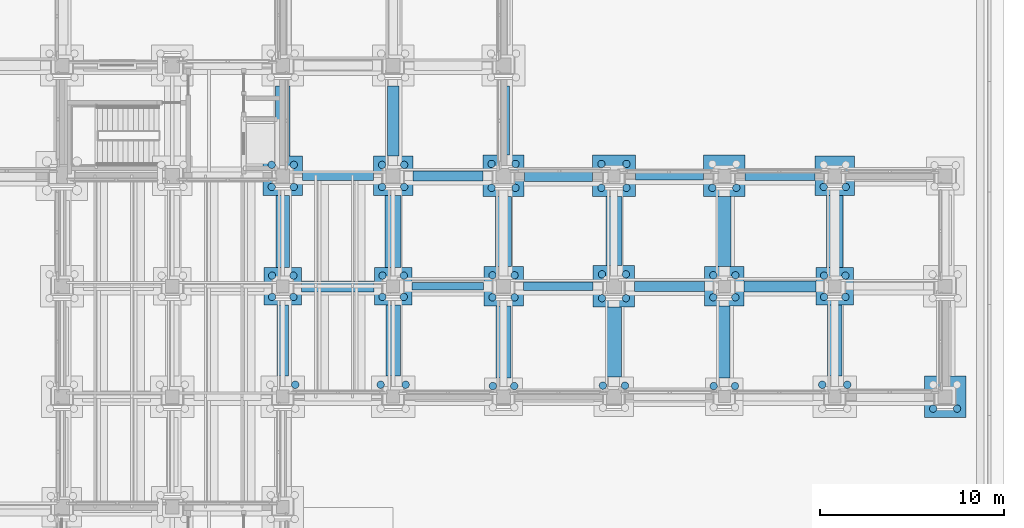
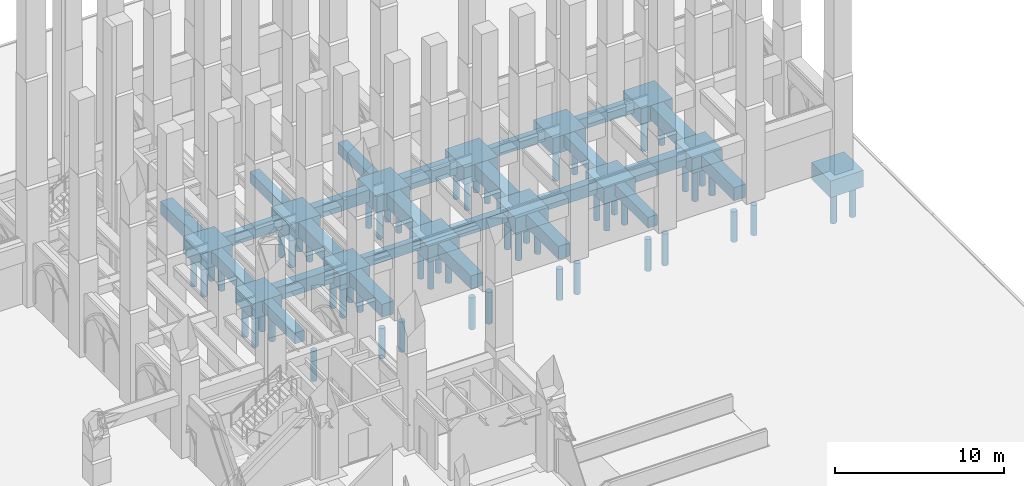
# One storey, part 13 of 135: 57 piles, 38 footings.
"""IFC4 building model written with IfcOpenShell, lengths in metres."""

from ifc_helpers import new_model, si_unit, direction, frame, origin, origin_2d, place, context, subcontext, project, spatial, polyline, rectangle, circle, outline, extrude, material, material_profile, profile_set, type_object, element, save


model = new_model("IFC4")

# Units and contexts
model_context = context("Model", 3, precision=1e-05, world=origin(), true_north=direction((0.0, 1.0)))
body_context = subcontext(model_context, "Body", "Model", "MODEL_VIEW")
ifc_project = project(units=[si_unit("LENGTHUNIT", "METRE"), si_unit("AREAUNIT", "SQUARE_METRE"), si_unit("VOLUMEUNIT", "CUBIC_METRE"), si_unit("PLANEANGLEUNIT", "RADIAN"), si_unit("MASSUNIT", "GRAM", prefix="KILO")], contexts=[model_context])

# Site, building, storey
site_placement = place(None, origin())
site = spatial("IfcSite", under=ifc_project, at=site_placement, CompositionType="ELEMENT")
building_placement = place(site_placement, origin())
building = spatial("IfcBuilding", under=site, at=building_placement, Name="Cumevento Cable Car Station", CompositionType="ELEMENT")
storey_placement = place(building_placement, origin())
storey = spatial("IfcBuildingStorey", under=building, at=storey_placement, Name="L01", CompositionType="ELEMENT", Elevation=0.0)

# Footings
ifc_material_1 = material(Name="Concrete C40/50", Category="concrete")
footing_type_1 = type_object("IfcFootingType", Name="Ground Beam GB-01 420x720", PredefinedType="FOOTING_BEAM", material=ifc_material_1)
footing_1_placement = place(storey_placement, frame((0.0, 0.0, -0.719970703125)))
element("IfcFooting", 1, at=footing_1_placement, inside=storey, type_object=footing_type_1, Name="Ground Tie Beam GB-01 #80", PredefinedType="FOOTING_BEAM", context=body_context, shape_type="SweptSolid", body=[
    extrude(outline(polyline([(137.027099609375, 38.7900390625), (140.923095703125, 38.7900390625), (140.923095703125, 39.2099609375), (137.027099609375, 39.2099609375), (137.027099609375, 38.7900390625)])), origin(), (0.0, 0.0, 1.0), 0.719970703125),
])
footing_2_placement = place(storey_placement, frame((0.0, 0.0, -0.719970703125)))
element("IfcFooting", 2, at=footing_2_placement, inside=storey, type_object=footing_type_1, Name="Ground Tie Beam GB-01 #108", PredefinedType="FOOTING_BEAM", context=body_context, shape_type="SweptSolid", body=[
    extrude(outline(polyline([(149.177001953125, 44.7900390625), (152.873046875, 44.7900390625), (152.873046875, 45.2099609375), (149.177001953125, 45.2099609375), (149.177001953125, 44.7900390625)])), origin(), (0.0, 0.0, 1.0), 0.719970703125),
])
ifc_material_2 = material(Name="Concrete C40/50", Category="concrete")
footing_type_2 = type_object("IfcFootingType", Name="Ground Beam GB-02 480x800", PredefinedType="FOOTING_BEAM", material=ifc_material_2)
footing_3_placement = place(storey_placement, frame((0.0, 0.0, -0.800048828125)))
element("IfcFooting", 3, at=footing_3_placement, inside=storey, type_object=footing_type_2, Name="Ground Tie Beam GB-02 #81", PredefinedType="FOOTING_BEAM", context=body_context, shape_type="SweptSolid", body=[
    extrude(outline(polyline([(143.076904296875, 38.760009765625), (146.873046875, 38.760009765625), (146.873046875, 39.239990234375), (143.076904296875, 39.239990234375), (143.076904296875, 38.760009765625)])), origin(), (0.0, 0.0, 1.0), 0.800048828125),
])
footing_4_placement = place(storey_placement, frame((0.0, 0.0, -0.800048828125)))
element("IfcFooting", 4, at=footing_4_placement, inside=storey, type_object=footing_type_2, Name="Ground Tie Beam GB-02 #105", PredefinedType="FOOTING_BEAM", context=body_context, shape_type="SweptSolid", body=[
    extrude(outline(polyline([(131.076904296875, 44.760009765625), (134.923095703125, 44.760009765625), (134.923095703125, 45.239990234375), (131.076904296875, 45.239990234375), (131.076904296875, 44.760009765625)])), origin(), (0.0, 0.0, 1.0), 0.800048828125),
])
footing_5_placement = place(storey_placement, frame((0.0, 0.0, -0.800048828125)))
element("IfcFooting", 5, at=footing_5_placement, inside=storey, type_object=footing_type_2, Name="Ground Tie Beam GB-02 #109", PredefinedType="FOOTING_BEAM", context=body_context, shape_type="SweptSolid", body=[
    extrude(outline(polyline([(155.126953125, 44.760009765625), (158.923095703125, 44.760009765625), (158.923095703125, 45.239990234375), (155.126953125, 45.239990234375), (155.126953125, 44.760009765625)])), origin(), (0.0, 0.0, 1.0), 0.800048828125),
])
ifc_material_3 = material(Name="Concrete C40/50", Category="concrete")
footing_type_3 = type_object("IfcFootingType", Name="Ground Beam GB-03 540x880", PredefinedType="FOOTING_BEAM", material=ifc_material_3)
footing_6_placement = place(storey_placement, frame((0.0, 0.0, -0.8798828125)))
element("IfcFooting", 6, at=footing_6_placement, inside=storey, type_object=footing_type_3, Name="Ground Tie Beam GB-03 #82", PredefinedType="FOOTING_BEAM", context=body_context, shape_type="SweptSolid", body=[
    extrude(outline(polyline([(149.126953125, 38.72998046875), (152.923095703125, 38.72998046875), (152.923095703125, 39.27001953125), (149.126953125, 39.27001953125), (149.126953125, 38.72998046875)])), origin(), (0.0, 0.0, 1.0), 0.8798828125),
])
footing_7_placement = place(storey_placement, frame((0.0, 0.0, -0.8798828125)))
element("IfcFooting", 7, at=footing_7_placement, inside=storey, type_object=footing_type_3, Name="Ground Tie Beam GB-03 #106", PredefinedType="FOOTING_BEAM", context=body_context, shape_type="SweptSolid", body=[
    extrude(outline(polyline([(137.076904296875, 44.72998046875), (140.873046875, 44.72998046875), (140.873046875, 45.27001953125), (137.076904296875, 45.27001953125), (137.076904296875, 44.72998046875)])), origin(), (0.0, 0.0, 1.0), 0.8798828125),
])
ifc_material_4 = material(Name="Concrete C40/50", Category="concrete")
footing_type_4 = type_object("IfcFootingType", Name="Ground Beam GB-04 600x960", PredefinedType="FOOTING_BEAM", material=ifc_material_4)
footing_8_placement = place(storey_placement, frame((0.0, 0.0, -0.9599609375)))
element("IfcFooting", 8, at=footing_8_placement, inside=storey, type_object=footing_type_4, Name="Ground Tie Beam GB-04 #79", PredefinedType="FOOTING_BEAM", context=body_context, shape_type="SweptSolid", body=[
    extrude(outline(polyline([(131.027099609375, 38.699951171875), (134.972900390625, 38.699951171875), (134.972900390625, 39.300048828125), (131.027099609375, 39.300048828125), (131.027099609375, 38.699951171875)])), origin(), (0.0, 0.0, 1.0), 0.9599609375),
])
footing_9_placement = place(storey_placement, frame((0.0, 0.0, -0.9599609375)))
element("IfcFooting", 9, at=footing_9_placement, inside=storey, type_object=footing_type_4, Name="Ground Tie Beam GB-04 #83", PredefinedType="FOOTING_BEAM", context=body_context, shape_type="SweptSolid", body=[
    extrude(outline(polyline([(155.076904296875, 38.699951171875), (158.972900390625, 38.699951171875), (158.972900390625, 39.300048828125), (155.076904296875, 39.300048828125), (155.076904296875, 38.699951171875)])), origin(), (0.0, 0.0, 1.0), 0.9599609375),
])
footing_10_placement = place(storey_placement, frame((0.0, 0.0, -0.9599609375)))
element("IfcFooting", 10, at=footing_10_placement, inside=storey, type_object=footing_type_4, Name="Ground Tie Beam GB-04 #107", PredefinedType="FOOTING_BEAM", context=body_context, shape_type="SweptSolid", body=[
    extrude(outline(polyline([(143.126953125, 44.699951171875), (146.822998046875, 44.699951171875), (146.822998046875, 45.300048828125), (143.126953125, 45.300048828125), (143.126953125, 44.699951171875)])), origin(), (0.0, 0.0, 1.0), 0.9599609375),
])

# Piles
ifc_material_5 = material(Name="Concrete C40/50", Category="concrete")
ifc_material_profile = material_profile(ifc_material_5, circle(Radius=0.199951171875, at=origin_2d()), Name="PILE-D400")
ifc_profile_set = profile_set([ifc_material_profile], Name="Concrete C40/50")
pile_type = type_object("IfcPileType", Name="PILE-BORED-400", PredefinedType="BORED", material=ifc_profile_set)
pile_placement = place(storey_placement, frame((130.679931640625, 33.64990234375, -1.219970703125), z_axis=(0.0, 0.0, -1.0), x_axis=(1.0, 0.0, 0.0)))
element("IfcPile", 11, at=pile_placement, inside=storey, type_object=pile_type, Name="Bored Pile PL-400 #510", PredefinedType="BORED", context=body_context, shape_type="SweptSolid", body=[
    extrude(circle(Radius=0.199951171875, at=origin_2d()), origin(), (0.0, 0.0, 1.0), 2.179931640625),
])
for number, where, z_axis, x_axis, name in (
    (12, (129.419921875, 38.419921875, -1.10009765625), (0.0, 0.0, -1.0), (1.0, 0.0, 0.0), "Bored Pile PL-400 #511"),
    (13, (130.580078125, 38.419921875, -1.10009765625), (0.0, 0.0, -1.0), (1.0, 0.0, 0.0), "Bored Pile PL-400 #512"),
    (14, (129.419921875, 39.580078125, -1.10009765625), (0.0, 0.0, -1.0), (1.0, 0.0, 0.0), "Bored Pile PL-400 #513"),
    (15, (130.580078125, 39.580078125, -1.10009765625), (0.0, 0.0, -1.0), (1.0, 0.0, 0.0), "Bored Pile PL-400 #514"),
):
    element("IfcPile", number, at=place(storey_placement, frame(where, z_axis=z_axis, x_axis=x_axis)), inside=storey, type_object=pile_type, Name=name, PredefinedType="BORED", context=body_context, shape_type="SweptSolid", body=[
        extrude(circle(Radius=0.199951171875, at=origin_2d()), origin(), (0.0, 0.0, 1.0), 2.300048828125),
    ])
for number, where, z_axis, x_axis, name in (
    (16, (129.39990234375, 44.39990234375, -1.14990234375), (0.0, 0.0, -1.0), (1.0, 0.0, 0.0), "Bored Pile PL-400 #515"),
    (17, (130.60009765625, 44.39990234375, -1.14990234375), (0.0, 0.0, -1.0), (1.0, 0.0, 0.0), "Bored Pile PL-400 #516"),
    (18, (129.39990234375, 45.60009765625, -1.14990234375), (0.0, 0.0, -1.0), (1.0, 0.0, 0.0), "Bored Pile PL-400 #517"),
    (19, (130.60009765625, 45.60009765625, -1.14990234375), (0.0, 0.0, -1.0), (1.0, 0.0, 0.0), "Bored Pile PL-400 #518"),
):
    element("IfcPile", number, at=place(storey_placement, frame(where, z_axis=z_axis, x_axis=x_axis)), inside=storey, type_object=pile_type, Name=name, PredefinedType="BORED", context=body_context, shape_type="SweptSolid", body=[
        extrude(circle(Radius=0.199951171875, at=origin_2d()), origin(), (0.0, 0.0, 1.0), 2.25),
    ])
for number, where, z_axis, x_axis, name in (
    (20, (135.320068359375, 33.64990234375, -1.219970703125), (0.0, 0.0, -1.0), (1.0, 0.0, 0.0), "Bored Pile PL-400 #535"),
    (21, (136.679931640625, 33.64990234375, -1.219970703125), (0.0, 0.0, -1.0), (1.0, 0.0, 0.0), "Bored Pile PL-400 #536"),
):
    element("IfcPile", number, at=place(storey_placement, frame(where, z_axis=z_axis, x_axis=x_axis)), inside=storey, type_object=pile_type, Name=name, PredefinedType="BORED", context=body_context, shape_type="SweptSolid", body=[
        extrude(circle(Radius=0.199951171875, at=origin_2d()), origin(), (0.0, 0.0, 1.0), 2.179931640625),
    ])
for number, where, z_axis, x_axis, name in (
    (22, (135.419921875, 38.419921875, -1.10009765625), (0.0, 0.0, -1.0), (1.0, 0.0, 0.0), "Bored Pile PL-400 #537"),
    (23, (136.580078125, 38.419921875, -1.10009765625), (0.0, 0.0, -1.0), (1.0, 0.0, 0.0), "Bored Pile PL-400 #538"),
    (24, (135.419921875, 39.580078125, -1.10009765625), (0.0, 0.0, -1.0), (1.0, 0.0, 0.0), "Bored Pile PL-400 #539"),
    (25, (136.580078125, 39.580078125, -1.10009765625), (0.0, 0.0, -1.0), (1.0, 0.0, 0.0), "Bored Pile PL-400 #540"),
):
    element("IfcPile", number, at=place(storey_placement, frame(where, z_axis=z_axis, x_axis=x_axis)), inside=storey, type_object=pile_type, Name=name, PredefinedType="BORED", context=body_context, shape_type="SweptSolid", body=[
        extrude(circle(Radius=0.199951171875, at=origin_2d()), origin(), (0.0, 0.0, 1.0), 2.300048828125),
    ])
for number, where, z_axis, x_axis, name in (
    (26, (135.39990234375, 44.39990234375, -1.14990234375), (0.0, 0.0, -1.0), (1.0, 0.0, 0.0), "Bored Pile PL-400 #541"),
    (27, (136.60009765625, 44.39990234375, -1.14990234375), (0.0, 0.0, -1.0), (1.0, 0.0, 0.0), "Bored Pile PL-400 #542"),
    (28, (135.39990234375, 45.60009765625, -1.14990234375), (0.0, 0.0, -1.0), (1.0, 0.0, 0.0), "Bored Pile PL-400 #543"),
    (29, (136.60009765625, 45.60009765625, -1.14990234375), (0.0, 0.0, -1.0), (1.0, 0.0, 0.0), "Bored Pile PL-400 #544"),
):
    element("IfcPile", number, at=place(storey_placement, frame(where, z_axis=z_axis, x_axis=x_axis)), inside=storey, type_object=pile_type, Name=name, PredefinedType="BORED", context=body_context, shape_type="SweptSolid", body=[
        extrude(circle(Radius=0.199951171875, at=origin_2d()), origin(), (0.0, 0.0, 1.0), 2.25),
    ])
for number, where, z_axis, x_axis, name in (
    (30, (141.419921875, 33.580078125, -1.10009765625), (0.0, 0.0, -1.0), (1.0, 0.0, 0.0), "Bored Pile PL-400 #555"),
    (31, (142.580078125, 33.580078125, -1.10009765625), (0.0, 0.0, -1.0), (1.0, 0.0, 0.0), "Bored Pile PL-400 #556"),
):
    element("IfcPile", number, at=place(storey_placement, frame(where, z_axis=z_axis, x_axis=x_axis)), inside=storey, type_object=pile_type, Name=name, PredefinedType="BORED", context=body_context, shape_type="SweptSolid", body=[
        extrude(circle(Radius=0.199951171875, at=origin_2d()), origin(), (0.0, 0.0, 1.0), 2.300048828125),
    ])
for number, where, z_axis, x_axis, name in (
    (32, (141.39990234375, 38.39990234375, -1.14990234375), (0.0, 0.0, -1.0), (1.0, 0.0, 0.0), "Bored Pile PL-400 #557"),
    (33, (142.60009765625, 38.39990234375, -1.14990234375), (0.0, 0.0, -1.0), (1.0, 0.0, 0.0), "Bored Pile PL-400 #558"),
    (34, (141.39990234375, 39.60009765625, -1.14990234375), (0.0, 0.0, -1.0), (1.0, 0.0, 0.0), "Bored Pile PL-400 #559"),
    (35, (142.60009765625, 39.60009765625, -1.14990234375), (0.0, 0.0, -1.0), (1.0, 0.0, 0.0), "Bored Pile PL-400 #560"),
):
    element("IfcPile", number, at=place(storey_placement, frame(where, z_axis=z_axis, x_axis=x_axis)), inside=storey, type_object=pile_type, Name=name, PredefinedType="BORED", context=body_context, shape_type="SweptSolid", body=[
        extrude(circle(Radius=0.199951171875, at=origin_2d()), origin(), (0.0, 0.0, 1.0), 2.25),
    ])
for number, where, z_axis, x_axis, name in (
    (36, (141.35009765625, 44.35009765625, -1.199951171875), (0.0, 0.0, -1.0), (1.0, 0.0, 0.0), "Bored Pile PL-400 #561"),
    (37, (142.64990234375, 44.35009765625, -1.199951171875), (0.0, 0.0, -1.0), (1.0, 0.0, 0.0), "Bored Pile PL-400 #562"),
    (38, (141.35009765625, 45.64990234375, -1.199951171875), (0.0, 0.0, -1.0), (1.0, 0.0, 0.0), "Bored Pile PL-400 #563"),
    (39, (142.64990234375, 45.64990234375, -1.199951171875), (0.0, 0.0, -1.0), (1.0, 0.0, 0.0), "Bored Pile PL-400 #564"),
):
    element("IfcPile", number, at=place(storey_placement, frame(where, z_axis=z_axis, x_axis=x_axis)), inside=storey, type_object=pile_type, Name=name, PredefinedType="BORED", context=body_context, shape_type="SweptSolid", body=[
        extrude(circle(Radius=0.199951171875, at=origin_2d()), origin(), (0.0, 0.0, 1.0), 2.199951171875),
    ])
for number, where, z_axis, x_axis, name in (
    (40, (147.39990234375, 33.60009765625, -1.14990234375), (0.0, 0.0, -1.0), (1.0, 0.0, 0.0), "Bored Pile PL-400 #575"),
    (41, (148.60009765625, 33.60009765625, -1.14990234375), (0.0, 0.0, -1.0), (1.0, 0.0, 0.0), "Bored Pile PL-400 #576"),
):
    element("IfcPile", number, at=place(storey_placement, frame(where, z_axis=z_axis, x_axis=x_axis)), inside=storey, type_object=pile_type, Name=name, PredefinedType="BORED", context=body_context, shape_type="SweptSolid", body=[
        extrude(circle(Radius=0.199951171875, at=origin_2d()), origin(), (0.0, 0.0, 1.0), 2.25),
    ])
for number, where, z_axis, x_axis, name in (
    (42, (147.35009765625, 38.35009765625, -1.199951171875), (0.0, 0.0, -1.0), (1.0, 0.0, 0.0), "Bored Pile PL-400 #577"),
    (43, (148.64990234375, 38.35009765625, -1.199951171875), (0.0, 0.0, -1.0), (1.0, 0.0, 0.0), "Bored Pile PL-400 #578"),
    (44, (147.35009765625, 39.64990234375, -1.199951171875), (0.0, 0.0, -1.0), (1.0, 0.0, 0.0), "Bored Pile PL-400 #579"),
    (45, (148.64990234375, 39.64990234375, -1.199951171875), (0.0, 0.0, -1.0), (1.0, 0.0, 0.0), "Bored Pile PL-400 #580"),
):
    element("IfcPile", number, at=place(storey_placement, frame(where, z_axis=z_axis, x_axis=x_axis)), inside=storey, type_object=pile_type, Name=name, PredefinedType="BORED", context=body_context, shape_type="SweptSolid", body=[
        extrude(circle(Radius=0.199951171875, at=origin_2d()), origin(), (0.0, 0.0, 1.0), 2.199951171875),
    ])
for number, where, z_axis, x_axis, name in (
    (46, (147.320068359375, 44.35009765625, -1.219970703125), (0.0, 0.0, -1.0), (1.0, 0.0, 0.0), "Bored Pile PL-400 #581"),
    (47, (148.679931640625, 44.35009765625, -1.219970703125), (0.0, 0.0, -1.0), (1.0, 0.0, 0.0), "Bored Pile PL-400 #582"),
    (48, (147.320068359375, 45.64990234375, -1.219970703125), (0.0, 0.0, -1.0), (1.0, 0.0, 0.0), "Bored Pile PL-400 #583"),
    (49, (148.679931640625, 45.64990234375, -1.219970703125), (0.0, 0.0, -1.0), (1.0, 0.0, 0.0), "Bored Pile PL-400 #584"),
):
    element("IfcPile", number, at=place(storey_placement, frame(where, z_axis=z_axis, x_axis=x_axis)), inside=storey, type_object=pile_type, Name=name, PredefinedType="BORED", context=body_context, shape_type="SweptSolid", body=[
        extrude(circle(Radius=0.199951171875, at=origin_2d()), origin(), (0.0, 0.0, 1.0), 2.179931640625),
    ])
for number, where, z_axis, x_axis, name in (
    (50, (153.419921875, 33.580078125, -1.10009765625), (0.0, 0.0, -1.0), (1.0, 0.0, 0.0), "Bored Pile PL-400 #587"),
    (51, (154.580078125, 33.580078125, -1.10009765625), (0.0, 0.0, -1.0), (1.0, 0.0, 0.0), "Bored Pile PL-400 #588"),
):
    element("IfcPile", number, at=place(storey_placement, frame(where, z_axis=z_axis, x_axis=x_axis)), inside=storey, type_object=pile_type, Name=name, PredefinedType="BORED", context=body_context, shape_type="SweptSolid", body=[
        extrude(circle(Radius=0.199951171875, at=origin_2d()), origin(), (0.0, 0.0, 1.0), 2.300048828125),
    ])
for number, where, z_axis, x_axis, name in (
    (52, (153.39990234375, 38.39990234375, -1.14990234375), (0.0, 0.0, -1.0), (1.0, 0.0, 0.0), "Bored Pile PL-400 #589"),
    (53, (154.60009765625, 38.39990234375, -1.14990234375), (0.0, 0.0, -1.0), (1.0, 0.0, 0.0), "Bored Pile PL-400 #590"),
    (54, (153.39990234375, 39.60009765625, -1.14990234375), (0.0, 0.0, -1.0), (1.0, 0.0, 0.0), "Bored Pile PL-400 #591"),
    (55, (154.60009765625, 39.60009765625, -1.14990234375), (0.0, 0.0, -1.0), (1.0, 0.0, 0.0), "Bored Pile PL-400 #592"),
):
    element("IfcPile", number, at=place(storey_placement, frame(where, z_axis=z_axis, x_axis=x_axis)), inside=storey, type_object=pile_type, Name=name, PredefinedType="BORED", context=body_context, shape_type="SweptSolid", body=[
        extrude(circle(Radius=0.199951171875, at=origin_2d()), origin(), (0.0, 0.0, 1.0), 2.25),
    ])
for number, where, z_axis, x_axis, name in (
    (56, (153.35009765625, 44.35009765625, -1.199951171875), (0.0, 0.0, -1.0), (1.0, 0.0, 0.0), "Bored Pile PL-400 #593"),
    (57, (154.64990234375, 44.35009765625, -1.199951171875), (0.0, 0.0, -1.0), (1.0, 0.0, 0.0), "Bored Pile PL-400 #594"),
):
    element("IfcPile", number, at=place(storey_placement, frame(where, z_axis=z_axis, x_axis=x_axis)), inside=storey, type_object=pile_type, Name=name, PredefinedType="BORED", context=body_context, shape_type="SweptSolid", body=[
        extrude(circle(Radius=0.199951171875, at=origin_2d()), origin(), (0.0, 0.0, 1.0), 2.199951171875),
    ])
for number, where, z_axis, x_axis, name in (
    (58, (159.320068359375, 33.64990234375, -1.219970703125), (0.0, 0.0, -1.0), (1.0, 0.0, 0.0), "Bored Pile PL-400 #599"),
    (59, (160.679931640625, 33.64990234375, -1.219970703125), (0.0, 0.0, -1.0), (1.0, 0.0, 0.0), "Bored Pile PL-400 #600"),
):
    element("IfcPile", number, at=place(storey_placement, frame(where, z_axis=z_axis, x_axis=x_axis)), inside=storey, type_object=pile_type, Name=name, PredefinedType="BORED", context=body_context, shape_type="SweptSolid", body=[
        extrude(circle(Radius=0.199951171875, at=origin_2d()), origin(), (0.0, 0.0, 1.0), 2.179931640625),
    ])
for number, where, z_axis, x_axis, name in (
    (60, (159.419921875, 38.419921875, -1.10009765625), (0.0, 0.0, -1.0), (1.0, 0.0, 0.0), "Bored Pile PL-400 #601"),
    (61, (160.580078125, 38.419921875, -1.10009765625), (0.0, 0.0, -1.0), (1.0, 0.0, 0.0), "Bored Pile PL-400 #602"),
    (62, (159.419921875, 39.580078125, -1.10009765625), (0.0, 0.0, -1.0), (1.0, 0.0, 0.0), "Bored Pile PL-400 #603"),
    (63, (160.580078125, 39.580078125, -1.10009765625), (0.0, 0.0, -1.0), (1.0, 0.0, 0.0), "Bored Pile PL-400 #604"),
):
    element("IfcPile", number, at=place(storey_placement, frame(where, z_axis=z_axis, x_axis=x_axis)), inside=storey, type_object=pile_type, Name=name, PredefinedType="BORED", context=body_context, shape_type="SweptSolid", body=[
        extrude(circle(Radius=0.199951171875, at=origin_2d()), origin(), (0.0, 0.0, 1.0), 2.300048828125),
    ])
for number, where, z_axis, x_axis, name in (
    (64, (159.39990234375, 44.39990234375, -1.14990234375), (0.0, 0.0, -1.0), (1.0, 0.0, 0.0), "Bored Pile PL-400 #605"),
    (65, (160.60009765625, 44.39990234375, -1.14990234375), (0.0, 0.0, -1.0), (1.0, 0.0, 0.0), "Bored Pile PL-400 #606"),
):
    element("IfcPile", number, at=place(storey_placement, frame(where, z_axis=z_axis, x_axis=x_axis)), inside=storey, type_object=pile_type, Name=name, PredefinedType="BORED", context=body_context, shape_type="SweptSolid", body=[
        extrude(circle(Radius=0.199951171875, at=origin_2d()), origin(), (0.0, 0.0, 1.0), 2.25),
    ])
for number, where, z_axis, x_axis, name in (
    (66, (165.35009765625, 32.35009765625, -1.199951171875), (0.0, 0.0, -1.0), (1.0, 0.0, 0.0), "Bored Pile PL-400 #609"),
    (67, (166.64990234375, 32.35009765625, -1.199951171875), (0.0, 0.0, -1.0), (1.0, 0.0, 0.0), "Bored Pile PL-400 #610"),
):
    element("IfcPile", number, at=place(storey_placement, frame(where, z_axis=z_axis, x_axis=x_axis)), inside=storey, type_object=pile_type, Name=name, PredefinedType="BORED", context=body_context, shape_type="SweptSolid", body=[
        extrude(circle(Radius=0.199951171875, at=origin_2d()), origin(), (0.0, 0.0, 1.0), 2.199951171875),
    ])

# Footings
ifc_material_6 = material(Name="Concrete C40/50", Category="concrete")
footing_type_5 = type_object("IfcFootingType", Name="Pile Cap PC-05 2050x2050x1100", PredefinedType="PILE_CAP", material=ifc_material_6)
for number, where, z_axis, x_axis, name in (
    (68, (130.0, 39.0, -1.10009765625), (0.0, 0.0, 1.0), (1.0, 0.0, 0.0), "Pile Cap PC-05 at (130.0,39.0)"),
    (69, (136.0, 39.0, -1.10009765625), (0.0, 0.0, 1.0), (1.0, 0.0, 0.0), "Pile Cap PC-05 at (136.0,39.0)"),
    (70, (160.0, 39.0, -1.10009765625), (0.0, 0.0, 1.0), (1.0, 0.0, 0.0), "Pile Cap PC-05 at (160.0,39.0)"),
):
    element("IfcFooting", number, at=place(storey_placement, frame(where, z_axis=z_axis, x_axis=x_axis)), inside=storey, type_object=footing_type_5, Name=name, PredefinedType="PILE_CAP", context=body_context, shape_type="SweptSolid", body=[
        extrude(rectangle(XDim=2.050048828125, YDim=2.050048828125, at=origin_2d()), origin(), (0.0, 0.0, 1.0), 1.10009765625),
    ])
ifc_material_7 = material(Name="Concrete C40/50", Category="concrete")
footing_type_6 = type_object("IfcFootingType", Name="Pile Cap PC-06 2150x2150x1150", PredefinedType="PILE_CAP", material=ifc_material_7)
for number, where, z_axis, x_axis, name in (
    (71, (130.0, 45.0, -1.14990234375), (0.0, 0.0, 1.0), (1.0, 0.0, 0.0), "Pile Cap PC-06 at (130.0,45.0)"),
    (72, (136.0, 45.0, -1.14990234375), (0.0, 0.0, 1.0), (1.0, 0.0, 0.0), "Pile Cap PC-06 at (136.0,45.0)"),
    (73, (142.0, 39.0, -1.14990234375), (0.0, 0.0, 1.0), (1.0, 0.0, 0.0), "Pile Cap PC-06 at (142.0,39.0)"),
    (74, (154.0, 39.0, -1.14990234375), (0.0, 0.0, 1.0), (1.0, 0.0, 0.0), "Pile Cap PC-06 at (154.0,39.0)"),
    (75, (160.0, 45.0, -1.14990234375), (0.0, 0.0, 1.0), (1.0, 0.0, 0.0), "Pile Cap PC-06 at (160.0,45.0)"),
):
    element("IfcFooting", number, at=place(storey_placement, frame(where, z_axis=z_axis, x_axis=x_axis)), inside=storey, type_object=footing_type_6, Name=name, PredefinedType="PILE_CAP", context=body_context, shape_type="SweptSolid", body=[
        extrude(rectangle(XDim=2.14990234375, YDim=2.14990234375, at=origin_2d()), origin(), (0.0, 0.0, 1.0), 1.14990234375),
    ])
ifc_material_8 = material(Name="Concrete C40/50", Category="concrete")
footing_type_7 = type_object("IfcFootingType", Name="Pile Cap PC-07 2250x2250x1200", PredefinedType="PILE_CAP", material=ifc_material_8)
for number, where, z_axis, x_axis, name in (
    (76, (142.0, 45.0, -1.2001953125), (0.0, 0.0, 1.0), (1.0, 0.0, 0.0), "Pile Cap PC-07 at (142.0,45.0)"),
    (77, (148.0, 39.0, -1.2001953125), (0.0, 0.0, 1.0), (1.0, 0.0, 0.0), "Pile Cap PC-07 at (148.0,39.0)"),
    (78, (154.0, 45.0, -1.2001953125), (0.0, 0.0, 1.0), (1.0, 0.0, 0.0), "Pile Cap PC-07 at (154.0,45.0)"),
    (79, (166.0, 33.0, -1.2001953125), (0.0, 0.0, 1.0), (1.0, 0.0, 0.0), "Pile Cap PC-07 at (166.0,33.0)"),
):
    element("IfcFooting", number, at=place(storey_placement, frame(where, z_axis=z_axis, x_axis=x_axis)), inside=storey, type_object=footing_type_7, Name=name, PredefinedType="PILE_CAP", context=body_context, shape_type="SweptSolid", body=[
        extrude(rectangle(XDim=2.25, YDim=2.25, at=origin_2d()), origin(), (0.0, 0.0, 1.0), 1.199951171875),
    ])
ifc_material_9 = material(Name="Concrete C40/50", Category="concrete")
footing_type_8 = type_object("IfcFootingType", Name="Pile Cap PC-08 2350x2250x1220", PredefinedType="PILE_CAP", material=ifc_material_9)
footing_11_placement = place(storey_placement, frame((148.0, 45.0, -1.22021484375), z_axis=(0.0, 0.0, 1.0), x_axis=(1.0, 0.0, 0.0)))
element("IfcFooting", 80, at=footing_11_placement, inside=storey, type_object=footing_type_8, Name="Pile Cap PC-08 at (148.0,45.0)", PredefinedType="PILE_CAP", context=body_context, shape_type="SweptSolid", body=[
    extrude(rectangle(XDim=2.35009765625, YDim=2.25, at=origin_2d()), origin(), (0.0, 0.0, 1.0), 1.219970703125),
])
ifc_material_10 = material(Name="Concrete C40/50", Category="concrete")
footing_type_9 = type_object("IfcFootingType", Name="Strip Footing SF-01 640x780", PredefinedType="STRIP_FOOTING", material=ifc_material_10)
footing_12_placement = place(storey_placement, frame((0.0, 0.0, -0.780029296875)))
element("IfcFooting", 81, at=footing_12_placement, inside=storey, type_object=footing_type_9, Name="Strip Footing SF-01 #284", PredefinedType="STRIP_FOOTING", context=body_context, shape_type="SweptSolid", body=[
    extrude(outline(polyline([(129.679931640625, 34.126953125), (130.320068359375, 34.126953125), (130.320068359375, 37.972900390625), (129.679931640625, 37.972900390625), (129.679931640625, 34.126953125)])), origin(), (0.0, 0.0, 1.0), 0.780029296875),
])
footing_13_placement = place(storey_placement, frame((0.0, 0.0, -0.780029296875)))
element("IfcFooting", 82, at=footing_13_placement, inside=storey, type_object=footing_type_9, Name="Strip Footing SF-01 #292", PredefinedType="STRIP_FOOTING", context=body_context, shape_type="SweptSolid", body=[
    extrude(outline(polyline([(135.679931640625, 46.076904296875), (136.320068359375, 46.076904296875), (136.320068359375, 49.873046875), (135.679931640625, 49.873046875), (135.679931640625, 46.076904296875)])), origin(), (0.0, 0.0, 1.0), 0.780029296875),
])
footing_14_placement = place(storey_placement, frame((0.0, 0.0, -0.780029296875)))
element("IfcFooting", 83, at=footing_14_placement, inside=storey, type_object=footing_type_9, Name="Strip Footing SF-01 #296", PredefinedType="STRIP_FOOTING", context=body_context, shape_type="SweptSolid", body=[
    extrude(outline(polyline([(141.679931640625, 46.126953125), (142.320068359375, 46.126953125), (142.320068359375, 49.873046875), (141.679931640625, 49.873046875), (141.679931640625, 46.126953125)])), origin(), (0.0, 0.0, 1.0), 0.780029296875),
])
footing_15_placement = place(storey_placement, frame((0.0, 0.0, -0.780029296875)))
element("IfcFooting", 84, at=footing_15_placement, inside=storey, type_object=footing_type_9, Name="Strip Footing SF-01 #300", PredefinedType="STRIP_FOOTING", context=body_context, shape_type="SweptSolid", body=[
    extrude(outline(polyline([(153.679931640625, 34.027099609375), (154.320068359375, 34.027099609375), (154.320068359375, 37.923095703125), (153.679931640625, 37.923095703125), (153.679931640625, 34.027099609375)])), origin(), (0.0, 0.0, 1.0), 0.780029296875),
])
ifc_material_11 = material(Name="Concrete C40/50", Category="concrete")
footing_type_10 = type_object("IfcFootingType", Name="Strip Footing SF-02 720x860", PredefinedType="STRIP_FOOTING", material=ifc_material_11)
footing_16_placement = place(storey_placement, frame((0.0, 0.0, -0.860107421875)))
element("IfcFooting", 85, at=footing_16_placement, inside=storey, type_object=footing_type_10, Name="Strip Footing SF-02 #285", PredefinedType="STRIP_FOOTING", context=body_context, shape_type="SweptSolid", body=[
    extrude(outline(polyline([(129.639892578125, 40.027099609375), (130.360107421875, 40.027099609375), (130.360107421875, 43.923095703125), (129.639892578125, 43.923095703125), (129.639892578125, 40.027099609375)])), origin(), (0.0, 0.0, 1.0), 0.860107421875),
])
footing_17_placement = place(storey_placement, frame((0.0, 0.0, -0.860107421875)))
element("IfcFooting", 86, at=footing_17_placement, inside=storey, type_object=footing_type_10, Name="Strip Footing SF-02 #301", PredefinedType="STRIP_FOOTING", context=body_context, shape_type="SweptSolid", body=[
    extrude(outline(polyline([(153.639892578125, 40.076904296875), (154.360107421875, 40.076904296875), (154.360107421875, 43.873046875), (153.639892578125, 43.873046875), (153.639892578125, 40.076904296875)])), origin(), (0.0, 0.0, 1.0), 0.860107421875),
])
ifc_material_12 = material(Name="Concrete C40/50", Category="concrete")
footing_type_11 = type_object("IfcFootingType", Name="Strip Footing SF-03 800x940", PredefinedType="STRIP_FOOTING", material=ifc_material_12)
footing_18_placement = place(storey_placement, frame((0.0, 0.0, -0.93994140625)))
element("IfcFooting", 87, at=footing_18_placement, inside=storey, type_object=footing_type_11, Name="Strip Footing SF-03 #286", PredefinedType="STRIP_FOOTING", context=body_context, shape_type="SweptSolid", body=[
    extrude(outline(polyline([(129.60009765625, 46.076904296875), (130.39990234375, 46.076904296875), (130.39990234375, 49.873046875), (129.60009765625, 49.873046875), (129.60009765625, 46.076904296875)])), origin(), (0.0, 0.0, 1.0), 0.93994140625),
])
footing_19_placement = place(storey_placement, frame((0.0, 0.0, -0.93994140625)))
element("IfcFooting", 88, at=footing_19_placement, inside=storey, type_object=footing_type_11, Name="Strip Footing SF-03 #290", PredefinedType="STRIP_FOOTING", context=body_context, shape_type="SweptSolid", body=[
    extrude(outline(polyline([(135.60009765625, 34.126953125), (136.39990234375, 34.126953125), (136.39990234375, 37.972900390625), (135.60009765625, 37.972900390625), (135.60009765625, 34.126953125)])), origin(), (0.0, 0.0, 1.0), 0.93994140625),
])
footing_20_placement = place(storey_placement, frame((0.0, 0.0, -0.93994140625)))
element("IfcFooting", 89, at=footing_20_placement, inside=storey, type_object=footing_type_11, Name="Strip Footing SF-03 #294", PredefinedType="STRIP_FOOTING", context=body_context, shape_type="SweptSolid", body=[
    extrude(outline(polyline([(141.60009765625, 34.027099609375), (142.39990234375, 34.027099609375), (142.39990234375, 37.923095703125), (141.60009765625, 37.923095703125), (141.60009765625, 34.027099609375)])), origin(), (0.0, 0.0, 1.0), 0.93994140625),
])
footing_21_placement = place(storey_placement, frame((0.0, 0.0, -0.93994140625)))
element("IfcFooting", 90, at=footing_21_placement, inside=storey, type_object=footing_type_11, Name="Strip Footing SF-03 #298", PredefinedType="STRIP_FOOTING", context=body_context, shape_type="SweptSolid", body=[
    extrude(outline(polyline([(147.60009765625, 34.076904296875), (148.39990234375, 34.076904296875), (148.39990234375, 37.873046875), (147.60009765625, 37.873046875), (147.60009765625, 34.076904296875)])), origin(), (0.0, 0.0, 1.0), 0.93994140625),
])
footing_22_placement = place(storey_placement, frame((0.0, 0.0, -0.93994140625)))
element("IfcFooting", 91, at=footing_22_placement, inside=storey, type_object=footing_type_11, Name="Strip Footing SF-03 #302", PredefinedType="STRIP_FOOTING", context=body_context, shape_type="SweptSolid", body=[
    extrude(outline(polyline([(159.60009765625, 34.126953125), (160.39990234375, 34.126953125), (160.39990234375, 37.972900390625), (159.60009765625, 37.972900390625), (159.60009765625, 34.126953125)])), origin(), (0.0, 0.0, 1.0), 0.93994140625),
])
ifc_material_13 = material(Name="Concrete C40/50", Category="concrete")
footing_type_12 = type_object("IfcFootingType", Name="Strip Footing SF-04 880x1020", PredefinedType="STRIP_FOOTING", material=ifc_material_13)
footing_23_placement = place(storey_placement, frame((0.0, 0.0, -1.02001953125)))
element("IfcFooting", 92, at=footing_23_placement, inside=storey, type_object=footing_type_12, Name="Strip Footing SF-04 #291", PredefinedType="STRIP_FOOTING", context=body_context, shape_type="SweptSolid", body=[
    extrude(outline(polyline([(135.56005859375, 40.027099609375), (136.43994140625, 40.027099609375), (136.43994140625, 43.923095703125), (135.56005859375, 43.923095703125), (135.56005859375, 40.027099609375)])), origin(), (0.0, 0.0, 1.0), 1.02001953125),
])
footing_24_placement = place(storey_placement, frame((0.0, 0.0, -1.02001953125)))
element("IfcFooting", 93, at=footing_24_placement, inside=storey, type_object=footing_type_12, Name="Strip Footing SF-04 #295", PredefinedType="STRIP_FOOTING", context=body_context, shape_type="SweptSolid", body=[
    extrude(outline(polyline([(141.56005859375, 40.076904296875), (142.43994140625, 40.076904296875), (142.43994140625, 43.873046875), (141.56005859375, 43.873046875), (141.56005859375, 40.076904296875)])), origin(), (0.0, 0.0, 1.0), 1.02001953125),
])
footing_25_placement = place(storey_placement, frame((0.0, 0.0, -1.02001953125)))
element("IfcFooting", 94, at=footing_25_placement, inside=storey, type_object=footing_type_12, Name="Strip Footing SF-04 #299", PredefinedType="STRIP_FOOTING", context=body_context, shape_type="SweptSolid", body=[
    extrude(outline(polyline([(147.56005859375, 40.126953125), (148.43994140625, 40.126953125), (148.43994140625, 43.873046875), (147.56005859375, 43.873046875), (147.56005859375, 40.126953125)])), origin(), (0.0, 0.0, 1.0), 1.02001953125),
])
footing_26_placement = place(storey_placement, frame((0.0, 0.0, -1.02001953125)))
element("IfcFooting", 95, at=footing_26_placement, inside=storey, type_object=footing_type_12, Name="Strip Footing SF-04 #303", PredefinedType="STRIP_FOOTING", context=body_context, shape_type="SweptSolid", body=[
    extrude(outline(polyline([(159.56005859375, 40.027099609375), (160.43994140625, 40.027099609375), (160.43994140625, 43.923095703125), (159.56005859375, 43.923095703125), (159.56005859375, 40.027099609375)])), origin(), (0.0, 0.0, 1.0), 1.02001953125),
])

save(model, "model.ifc")
